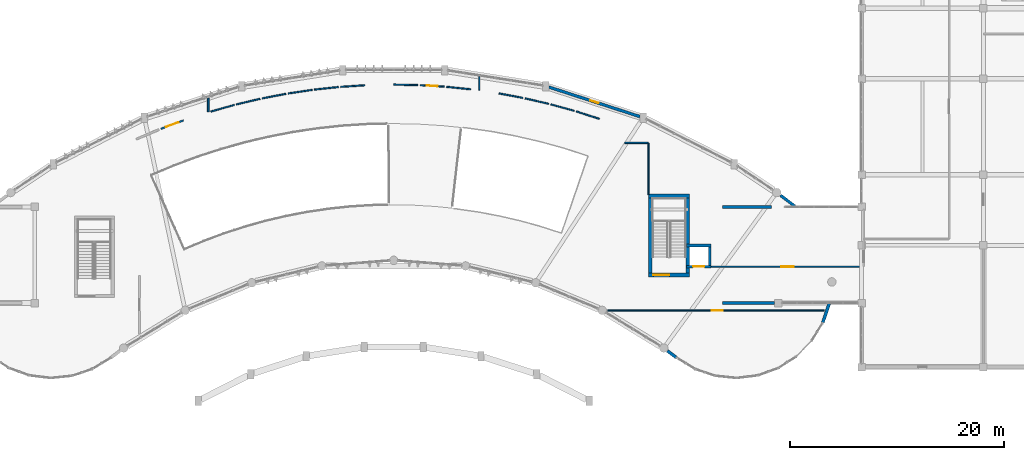
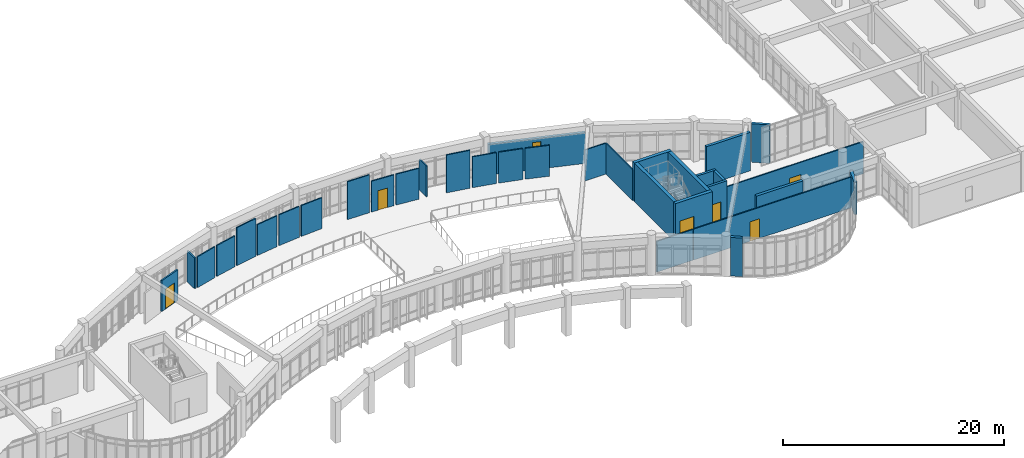
# One storey, part 45 of 57: 34 walls, 6 doors, 1 window, 7 openings.
"""IFC4 building model written with IfcOpenShell, lengths in metres."""

from ifc_helpers import new_model, si_unit, direction, frame, frame_2d, origin, place, context, subcontext, project, spatial, rectangle, extrude, material, layer, layer_set, type_object, element, fill, save


model = new_model("IFC4")

# Units and contexts
model_context = context("Model", 3, precision=1e-05, world=origin(), true_north=direction((0.0, 1.0)))
body_context = subcontext(model_context, "Body", "Model", "MODEL_VIEW")
ifc_project = project(units=[si_unit("LENGTHUNIT", "METRE"), si_unit("AREAUNIT", "SQUARE_METRE"), si_unit("VOLUMEUNIT", "CUBIC_METRE"), si_unit("PLANEANGLEUNIT", "RADIAN"), si_unit("MASSUNIT", "GRAM", prefix="KILO")], contexts=[model_context])

# Site, building, storey
site_placement = place(None, origin())
site = spatial("IfcSite", under=ifc_project, at=site_placement, CompositionType="ELEMENT")
building_placement = place(site_placement, origin())
building = spatial("IfcBuilding", under=site, at=building_placement, Name="Miralva Faculty of Natural Sciences", CompositionType="ELEMENT")
storey_placement = place(building_placement, frame((0.0, 0.0, 15.0)))
storey = spatial("IfcBuildingStorey", under=building, at=storey_placement, Name="L03", CompositionType="ELEMENT", Elevation=15.0)

# Wall, opening, door
ifc_material_1 = material(Name="Concrete C50/60", Category="concrete")
ifc_layer_1 = layer(ifc_material_1, 0.35009765625, Name="WL-CW02")
ifc_layer_set_1 = layer_set([ifc_layer_1], Name="Concrete C50/60")
wall_type_1 = type_object("IfcWallType", Name="WL-CW02", PredefinedType="SHEAR", material=ifc_layer_set_1)
wall_1_placement = place(storey_placement, frame((113.85009765625, 20.625, 0.0), z_axis=(0.0, 0.0, 1.0), x_axis=(1.0, 0.0, 0.0)))
wall_1 = element("IfcWall", 1, at=wall_1_placement, inside=storey, type_object=wall_type_1, Name="Core C3 shear wall south L03", PredefinedType="SHEAR", context=body_context, shape_type="SweptSolid", body=[
    extrude(rectangle(XDim=3.849853515625, YDim=0.35009765625, at=frame_2d((1.9248046875, 0.0))), origin(), (0.0, 0.0, 1.0), 4.280029296875),
])
opening_1_placement = place(wall_1_placement, frame((0.449951171875, 0.0, 0.0)))
opening_1 = element("IfcOpeningElement", 2, at=opening_1_placement, cuts=wall_1, Name="Opening D-11", PredefinedType="OPENING", context=body_context, shape_type="SweptSolid", body=[
    extrude(rectangle(XDim=1.5, YDim=2.199951171875, at=frame_2d((0.75, 1.10009765625))), frame((0.0, 0.18505859375, 0.0), z_axis=(0.0, -1.0, 0.0), x_axis=(1.0, 0.0, 0.0)), (0.0, 0.0, 1.0), 0.3701171875),
])
ifc_material_2 = material(Name="Galvanised steel", Category="steel")
door_type_1 = type_object("IfcDoorType", Name="DR-DI11", OperationType="DOUBLE_DOOR_SINGLE_SWING", PredefinedType="DOOR", material=ifc_material_2)
door_1_placement = place(opening_1_placement, frame((1.5, 0.0, 0.0), z_axis=(0.0, 0.0, 1.0), x_axis=(-1.0, 0.0, 0.0)))
door_1 = element("IfcDoor", 3, at=door_1_placement, inside=storey, type_object=door_type_1, Name="Protected exit stair door Core C3 L03", OperationType="DOUBLE_DOOR_SINGLE_SWING", OverallHeight=2.199951171875, OverallWidth=1.5, PredefinedType="DOOR", context=body_context, shape_type="SweptSolid", body=[
    extrude(rectangle(XDim=1.5, YDim=2.199951171875, at=frame_2d((0.75, 1.10009765625))), frame((0.0, 0.02490234375, 0.0), z_axis=(0.0, -1.0, 0.0), x_axis=(1.0, 0.0, 0.0)), (0.0, 0.0, 1.0), 0.050048828125),
])
fill(opening_1, door_1)

# Walls
wall_2_placement = place(storey_placement, frame((113.85009765625, 28.02490234375, 0.0), z_axis=(0.0, 0.0, 1.0), x_axis=(1.0, 0.0, 0.0)))
element("IfcWall", 4, at=wall_2_placement, inside=storey, type_object=wall_type_1, Name="Core C3 shear wall north L03", PredefinedType="SHEAR", context=body_context, shape_type="SweptSolid", body=[
    extrude(rectangle(XDim=3.849853515625, YDim=0.35009765625, at=frame_2d((1.9248046875, 0.0))), origin(), (0.0, 0.0, 1.0), 4.280029296875),
])
for number, where, z_axis, x_axis, name in (
    (5, (114.02490234375, 20.800048828125, 0.0), (0.0, 0.0, 1.0), (0.0, 1.0, 0.0), "Core C3 shear wall west L03"),
    (6, (117.52490234375, 20.800048828125, 0.0), (0.0, 0.0, 1.0), (0.0, 1.0, 0.0), "Core C3 shear wall east L03"),
):
    element("IfcWall", number, at=place(storey_placement, frame(where, z_axis=z_axis, x_axis=x_axis)), inside=storey, type_object=wall_type_1, Name=name, PredefinedType="SHEAR", context=body_context, shape_type="SweptSolid", body=[
        extrude(rectangle(XDim=7.050048828125, YDim=0.35009765625, at=frame_2d((3.52490234375, 0.0))), origin(), (0.0, 0.0, 1.0), 4.280029296875),
    ])

# Wall, opening, door
ifc_material_3 = material(Name="Concrete C40/50", Category="concrete")
ifc_layer_2 = layer(ifc_material_3, 0.25, Name="WL-CW04")
ifc_layer_set_2 = layer_set([ifc_layer_2], Name="Concrete C40/50")
wall_type_2 = type_object("IfcWallType", Name="WL-CW04", PredefinedType="SHEAR", material=ifc_layer_set_2)
wall_3_placement = place(storey_placement, frame((117.405029296875, 21.405029296875, 0.0), z_axis=(0.0, 0.0, 1.0), x_axis=(1.0, 0.0, 0.0)))
wall_3 = element("IfcWall", 7, at=wall_3_placement, inside=storey, type_object=wall_type_2, Name="Lift L-05 hoistway front wall L03", PredefinedType="SHEAR", context=body_context, shape_type="SweptSolid", body=[
    extrude(rectangle(XDim=2.2900390625, YDim=0.25, at=frame_2d((1.14501953125, 0.0))), origin(), (0.0, 0.0, 1.0), 4.260009765625),
])
opening_2_placement = place(wall_3_placement, frame((0.6201171875, 0.0, 0.0)))
opening_2 = element("IfcOpeningElement", 8, at=opening_2_placement, cuts=wall_3, Name="Opening LD-03", PredefinedType="OPENING", context=body_context, shape_type="SweptSolid", body=[
    extrude(rectangle(XDim=1.050048828125, YDim=2.14990234375, at=frame_2d((0.52490234375, 1.074951171875))), frame((0.0, 0.135009765625, 0.0), z_axis=(0.0, -1.0, 0.0), x_axis=(1.0, 0.0, 0.0)), (0.0, 0.0, 1.0), 0.27001953125),
])
door_type_2 = type_object("IfcDoorType", Name="DR-LD03", OperationType="SLIDING_TO_RIGHT", PredefinedType="DOOR", material=ifc_material_2)
door_2_placement = place(opening_2_placement, frame((1.050048828125, 0.0, 0.0), z_axis=(0.0, 0.0, 1.0), x_axis=(-1.0, 0.0, 0.0)))
door_2 = element("IfcDoor", 9, at=door_2_placement, inside=storey, type_object=door_type_2, Name="Lift L-05 sliding landing door L03", OperationType="SLIDING_TO_RIGHT", OverallHeight=2.14990234375, OverallWidth=1.050048828125, PredefinedType="DOOR", context=body_context, shape_type="SweptSolid", body=[
    extrude(rectangle(XDim=1.050048828125, YDim=2.14990234375, at=frame_2d((0.52490234375, 1.074951171875))), frame((0.0, 0.02490234375, 0.0), z_axis=(0.0, -1.0, 0.0), x_axis=(1.0, 0.0, 0.0)), (0.0, 0.0, 1.0), 0.050048828125),
])
fill(opening_2, door_2)

# Walls
wall_4_placement = place(storey_placement, frame((117.405029296875, 23.39501953125, 0.0), z_axis=(0.0, 0.0, 1.0), x_axis=(1.0, 0.0, 0.0)))
element("IfcWall", 10, at=wall_4_placement, inside=storey, type_object=wall_type_2, Name="Lift L-05 hoistway rear wall L03", PredefinedType="SHEAR", context=body_context, shape_type="SweptSolid", body=[
    extrude(rectangle(XDim=2.2900390625, YDim=0.25, at=frame_2d((1.14501953125, 0.0))), origin(), (0.0, 0.0, 1.0), 4.260009765625),
])
wall_5_placement = place(storey_placement, frame((119.570068359375, 21.530029296875, 0.0), z_axis=(0.0, 0.0, 1.0), x_axis=(0.0, 1.0, 0.0)))
element("IfcWall", 11, at=wall_5_placement, inside=storey, type_object=wall_type_2, Name="Lift L-05 hoistway E wall L03", PredefinedType="SHEAR", context=body_context, shape_type="SweptSolid", body=[
    extrude(rectangle(XDim=1.739990234375, YDim=0.25, at=frame_2d((0.8701171875, 0.0))), origin(), (0.0, 0.0, 1.0), 4.260009765625),
])

# Wall, opening, door
ifc_material_4 = material(Name="Gypsum plasterboard")
ifc_layer_3 = layer(ifc_material_4, 0.159912109375, Name="WL-PT03")
ifc_layer_set_3 = layer_set([ifc_layer_3], Name="Gypsum plasterboard")
wall_type_3 = type_object("IfcWallType", Name="WL-PT03", PredefinedType="PARTITIONING", material=ifc_layer_set_3)
wall_6_placement = place(storey_placement, frame((68.203369140625, 34.30859375, 0.0), z_axis=(0.0, 0.0, 1.0), x_axis=(0.937158790468, 0.348903140497, 0.0)))
wall_6 = element("IfcWall", 12, at=wall_6_placement, inside=storey, type_object=wall_type_3, Name="Interior partition PT-03 L03-342", PredefinedType="PARTITIONING", context=body_context, shape_type="SweptSolid", body=[
    extrude(rectangle(XDim=2.266357421875, YDim=0.159912109375, at=frame_2d((1.13330078125, 0.0))), origin(), (0.0, 0.0, 1.0), 3.405029296875),
])
opening_3_placement = place(wall_6_placement, frame((0.50830078125, 0.0, 0.0)))
opening_3 = element("IfcOpeningElement", 13, at=opening_3_placement, cuts=wall_6, Name="Opening D-23", PredefinedType="OPENING", context=body_context, shape_type="SweptSolid", body=[
    extrude(rectangle(XDim=1.25, YDim=2.199951171875, at=frame_2d((0.625, 1.10009765625))), frame((0.0, 0.08984375, 0.0), z_axis=(0.0, -1.0, 0.0), x_axis=(1.0, 0.0, 0.0)), (0.0, 0.0, 1.0), 0.179931640625),
])
ifc_material_5 = material(Name="Anodised aluminium", Category="aluminium")
door_type_3 = type_object("IfcDoorType", Name="DR-DI23", OperationType="NOTDEFINED", PredefinedType="DOOR", material=ifc_material_5)
door_3_placement = place(opening_3_placement, origin())
door_3 = element("IfcDoor", 14, at=door_3_placement, inside=storey, type_object=door_type_3, Name="Interior door D-23 L03-128", OperationType="SINGLE_SWING_LEFT", OverallHeight=2.199951171875, OverallWidth=1.25, PredefinedType="DOOR", context=body_context, shape_type="SweptSolid", body=[
    extrude(rectangle(XDim=1.25, YDim=2.199951171875, at=frame_2d((0.625, 1.10009765625))), frame((0.0, 0.02490234375, 0.0), z_axis=(0.0, -1.0, 0.0), x_axis=(1.0, 0.0, 0.0)), (0.0, 0.0, 1.0), 0.050048828125),
])
fill(opening_3, door_3)

# Walls
wall_7_placement = place(storey_placement, frame((72.639892578125, 35.88671875, 0.0), z_axis=(0.0, 0.0, 1.0), x_axis=(0.0, 1.0, 0.0)))
element("IfcWall", 15, at=wall_7_placement, inside=storey, type_object=wall_type_3, Name="Interior partition PT-03 L03-362", PredefinedType="PARTITIONING", context=body_context, shape_type="SweptSolid", body=[
    extrude(rectangle(XDim=1.319580078125, YDim=0.159912109375, at=frame_2d((0.65966796875, 0.0))), origin(), (0.0, 0.0, 1.0), 3.405029296875),
])
ifc_layer_4 = layer(ifc_material_4, 0.125, Name="WL-PT05")
ifc_layer_set_4 = layer_set([ifc_layer_4], Name="Gypsum plasterboard")
wall_type_4 = type_object("IfcWallType", Name="WL-PT05", PredefinedType="PARTITIONING", material=ifc_layer_set_4)
for number, where, z_axis, x_axis, name in (
    (16, (72.8857421875, 35.931884765625, 0.0), (0.0, 0.0, 1.0), (0.962961782051, 0.269637917046, 0.0), "Interior partition PT-05 L03-343"),
    (17, (75.273681640625, 36.595947265625, 0.0), (0.0, 0.0, 1.0), (0.973395972519, 0.22912939725, 0.0), "Interior partition PT-05 L03-344"),
):
    element("IfcWall", number, at=place(storey_placement, frame(where, z_axis=z_axis, x_axis=x_axis)), inside=storey, type_object=wall_type_4, Name=name, PredefinedType="PARTITIONING", context=body_context, shape_type="SweptSolid", body=[
        extrude(rectangle(XDim=2.266357421875, YDim=0.125, at=frame_2d((1.13330078125, 0.0))), origin(), (0.0, 0.0, 1.0), 3.405029296875),
    ])
wall_8_placement = place(storey_placement, frame((77.6875, 37.15966796875, 0.0), z_axis=(0.0, 0.0, 1.0), x_axis=(0.982087808033, 0.188423823634, 0.0)))
element("IfcWall", 18, at=wall_8_placement, inside=storey, type_object=wall_type_4, Name="Interior partition PT-05 L03-345", PredefinedType="PARTITIONING", context=body_context, shape_type="SweptSolid", body=[
    extrude(rectangle(XDim=2.26611328125, YDim=0.125, at=frame_2d((1.133056640625, 0.0))), origin(), (0.0, 0.0, 1.0), 4.179931640625),
])
wall_9_placement = place(storey_placement, frame((80.122314453125, 37.622314453125, 0.0), z_axis=(0.0, 0.0, 1.0), x_axis=(0.989080490429, 0.147376332742, 0.0)))
element("IfcWall", 19, at=wall_9_placement, inside=storey, type_object=wall_type_4, Name="Interior partition PT-05 L03-346", PredefinedType="PARTITIONING", context=body_context, shape_type="SweptSolid", body=[
    extrude(rectangle(XDim=2.26611328125, YDim=0.125, at=frame_2d((1.133056640625, 0.0))), origin(), (0.0, 0.0, 1.0), 3.405029296875),
])
wall_10_placement = place(storey_placement, frame((82.57421875, 37.983154296875, 0.0), z_axis=(0.0, 0.0, 1.0), x_axis=(0.994366469197, 0.105996815696, 0.0)))
element("IfcWall", 20, at=wall_10_placement, inside=storey, type_object=wall_type_4, Name="Interior partition PT-05 L03-347", PredefinedType="PARTITIONING", context=body_context, shape_type="SweptSolid", body=[
    extrude(rectangle(XDim=2.266357421875, YDim=0.125, at=frame_2d((1.13330078125, 0.0))), origin(), (0.0, 0.0, 1.0), 3.405029296875),
])
wall_11_placement = place(storey_placement, frame((85.039306640625, 38.2412109375, 0.0), z_axis=(0.0, 0.0, 1.0), x_axis=(0.997915696942, 0.064531091706, 0.0)))
element("IfcWall", 21, at=wall_11_placement, inside=storey, type_object=wall_type_4, Name="Interior partition PT-05 L03-348", PredefinedType="PARTITIONING", context=body_context, shape_type="SweptSolid", body=[
    extrude(rectangle(XDim=2.26611328125, YDim=0.125, at=frame_2d((1.133056640625, 0.0))), origin(), (0.0, 0.0, 1.0), 3.405029296875),
])
wall_12_placement = place(storey_placement, frame((89.99072265625, 38.448486328125, 0.0), z_axis=(0.0, 0.0, 1.0), x_axis=(0.999822278173, -0.018852375679, 0.0)))
element("IfcWall", 22, at=wall_12_placement, inside=storey, type_object=wall_type_4, Name="Interior partition PT-05 L03-349", PredefinedType="PARTITIONING", context=body_context, shape_type="SweptSolid", body=[
    extrude(rectangle(XDim=2.266357421875, YDim=0.125, at=frame_2d((1.13330078125, 0.0))), origin(), (0.0, 0.0, 1.0), 4.179931640625),
])

# Wall, opening, door
wall_13_placement = place(storey_placement, frame((92.46875, 38.3974609375, 0.0), z_axis=(0.0, 0.0, 1.0), x_axis=(0.998159220571, -0.060647921561, 0.0)))
wall_13 = element("IfcWall", 23, at=wall_13_placement, inside=storey, type_object=wall_type_4, Name="Interior partition PT-05 L03-350", PredefinedType="PARTITIONING", context=body_context, shape_type="SweptSolid", body=[
    extrude(rectangle(XDim=2.266357421875, YDim=0.125, at=frame_2d((1.13330078125, 0.0))), origin(), (0.0, 0.0, 1.0), 3.405029296875),
])
opening_4_placement = place(wall_13_placement, frame((0.63330078125, 0.0, 0.0)))
opening_4 = element("IfcOpeningElement", 24, at=opening_4_placement, cuts=wall_13, Name="Opening D-25", PredefinedType="OPENING", context=body_context, shape_type="SweptSolid", body=[
    extrude(rectangle(XDim=1.0, YDim=2.14990234375, at=frame_2d((0.5, 1.074951171875))), frame((0.0, 0.072509765625, 0.0), z_axis=(0.0, -1.0, 0.0), x_axis=(1.0, 0.0, 0.0)), (0.0, 0.0, 1.0), 0.14501953125),
])
door_type_4 = type_object("IfcDoorType", Name="DR-DI25", OperationType="NOTDEFINED", PredefinedType="DOOR", material=ifc_material_5)
door_4_placement = place(opening_4_placement, origin())
door_4 = element("IfcDoor", 25, at=door_4_placement, inside=storey, type_object=door_type_4, Name="Interior door D-25 L03-130", OperationType="SINGLE_SWING_LEFT", OverallHeight=2.14990234375, OverallWidth=1.0, PredefinedType="DOOR", context=body_context, shape_type="SweptSolid", body=[
    extrude(rectangle(XDim=1.0, YDim=2.14990234375, at=frame_2d((0.5, 1.074951171875))), frame((0.0, 0.02490234375, 0.0), z_axis=(0.0, -1.0, 0.0), x_axis=(1.0, 0.0, 0.0)), (0.0, 0.0, 1.0), 0.050048828125),
])
fill(opening_4, door_4)

# Walls
wall_14_placement = place(storey_placement, frame((94.942138671875, 38.242919921875, 0.0), z_axis=(0.0, 0.0, 1.0), x_axis=(0.994772464136, -0.102116328749, 0.0)))
element("IfcWall", 26, at=wall_14_placement, inside=storey, type_object=wall_type_4, Name="Interior partition PT-05 L03-351", PredefinedType="PARTITIONING", context=body_context, shape_type="SweptSolid", body=[
    extrude(rectangle(XDim=2.2666015625, YDim=0.125, at=frame_2d((1.13330078125, 0.0))), origin(), (0.0, 0.0, 1.0), 3.405029296875),
])
wall_15_placement = place(storey_placement, frame((99.859619140625, 37.62548828125, 0.0), z_axis=(0.0, 0.0, 1.0), x_axis=(0.982805045735, -0.184646262018, 0.0)))
element("IfcWall", 27, at=wall_15_placement, inside=storey, type_object=wall_type_4, Name="Interior partition PT-05 L03-352", PredefinedType="PARTITIONING", context=body_context, shape_type="SweptSolid", body=[
    extrude(rectangle(XDim=2.266357421875, YDim=0.125, at=frame_2d((1.13330078125, 0.0))), origin(), (0.0, 0.0, 1.0), 4.179931640625),
])
wall_16_placement = place(storey_placement, frame((102.294921875, 37.163330078125, 0.0), z_axis=(0.0, 0.0, 1.0), x_axis=(0.974269394544, -0.225386660775, 0.0)))
element("IfcWall", 28, at=wall_16_placement, inside=storey, type_object=wall_type_4, Name="Interior partition PT-05 L03-353", PredefinedType="PARTITIONING", context=body_context, shape_type="SweptSolid", body=[
    extrude(rectangle(XDim=2.26611328125, YDim=0.125, at=frame_2d((1.133056640625, 0.0))), origin(), (0.0, 0.0, 1.0), 3.405029296875),
])
for number, where, z_axis, x_axis, name in (
    (29, (104.708251953125, 36.600341796875, 0.0), (0.0, 0.0, 1.0), (0.96403926476, -0.265759846481, 0.0), "Interior partition PT-05 L03-354"),
    (30, (107.0966796875, 35.937255859375, 0.0), (0.0, 0.0, 1.0), (0.952084587877, -0.305834820659, 0.0), "Interior partition PT-05 L03-355"),
):
    element("IfcWall", number, at=place(storey_placement, frame(where, z_axis=z_axis, x_axis=x_axis)), inside=storey, type_object=wall_type_4, Name=name, PredefinedType="PARTITIONING", context=body_context, shape_type="SweptSolid", body=[
        extrude(rectangle(XDim=2.266357421875, YDim=0.125, at=frame_2d((1.13330078125, 0.0))), origin(), (0.0, 0.0, 1.0), 3.405029296875),
    ])
wall_17_placement = place(storey_placement, frame((111.626708984375, 33.0, 0.0), z_axis=(0.0, 0.0, 1.0), x_axis=(1.0, 0.0, 0.0)))
element("IfcWall", 31, at=wall_17_placement, inside=storey, type_object=wall_type_4, Name="Interior partition PT-05 L03-356", PredefinedType="PARTITIONING", context=body_context, shape_type="SweptSolid", body=[
    extrude(rectangle(XDim=2.193359375, YDim=0.125, at=frame_2d((1.0966796875, 0.0))), origin(), (0.0, 0.0, 1.0), 3.405029296875),
])
wall_18_placement = place(storey_placement, frame((113.85009765625, 28.151611328125, 0.0), z_axis=(0.0, 0.0, 1.0), x_axis=(0.0, 1.0, 0.0)))
element("IfcWall", 32, at=wall_18_placement, inside=storey, type_object=wall_type_4, Name="Interior partition PT-05 L03-357", PredefinedType="PARTITIONING", context=body_context, shape_type="SweptSolid", body=[
    extrude(rectangle(XDim=4.818359375, YDim=0.125, at=frame_2d((2.4091796875, 0.0))), origin(), (0.0, 0.0, 1.0), 3.405029296875),
])

# Wall, opening, door
wall_19_placement = place(storey_placement, frame((119.72998046875, 21.39990234375, 0.0), z_axis=(0.0, 0.0, 1.0), x_axis=(1.0, 0.0, 0.0)))
wall_19 = element("IfcWall", 33, at=wall_19_placement, inside=storey, type_object=wall_type_4, Name="Interior partition PT-05 L03-358", PredefinedType="PARTITIONING", context=body_context, shape_type="SweptSolid", body=[
    extrude(rectangle(XDim=14.239990234375, YDim=0.125, at=frame_2d((7.1201171875, 0.0))), origin(), (0.0, 0.0, 1.0), 3.554931640625),
])
opening_5_placement = place(wall_19_placement, frame((6.530029296875, 0.0, 0.0)))
opening_5 = element("IfcOpeningElement", 34, at=opening_5_placement, cuts=wall_19, Name="Opening D-34", PredefinedType="OPENING", context=body_context, shape_type="SweptSolid", body=[
    extrude(rectangle(XDim=1.179931640625, YDim=2.199951171875, at=frame_2d((0.58984375, 1.10009765625))), frame((0.0, 0.072509765625, 0.0), z_axis=(0.0, -1.0, 0.0), x_axis=(1.0, 0.0, 0.0)), (0.0, 0.0, 1.0), 0.14501953125),
])
door_type_5 = type_object("IfcDoorType", Name="DR-DI34", OperationType="NOTDEFINED", PredefinedType="DOOR", material=ifc_material_5)
door_5_placement = place(opening_5_placement, origin())
door_5 = element("IfcDoor", 35, at=door_5_placement, inside=storey, type_object=door_type_5, Name="Interior door D-34 L03-131", OperationType="SINGLE_SWING_RIGHT", OverallHeight=2.199951171875, OverallWidth=1.179931640625, PredefinedType="DOOR", context=body_context, shape_type="SweptSolid", body=[
    extrude(rectangle(XDim=1.179931640625, YDim=2.199951171875, at=frame_2d((0.58984375, 1.10009765625))), frame((0.0, 0.02490234375, 0.0), z_axis=(0.0, -1.0, 0.0), x_axis=(1.0, 0.0, 0.0)), (0.0, 0.0, 1.0), 0.050048828125),
])
fill(opening_5, door_5)

wall_20_placement = place(storey_placement, frame((113.8798828125, 17.300048828125, 0.0), z_axis=(0.0, 0.0, 1.0), x_axis=(1.0, 0.0, 0.0)))
wall_20 = element("IfcWall", 36, at=wall_20_placement, inside=storey, type_object=wall_type_4, Name="Interior partition PT-05 L03-359", PredefinedType="PARTITIONING", context=body_context, shape_type="SweptSolid", body=[
    extrude(rectangle(XDim=16.408203125, YDim=0.125, at=frame_2d((8.2041015625, 0.0))), origin(), (0.0, 0.0, 1.0), 3.405029296875),
])
opening_6_placement = place(wall_20_placement, frame((5.904052734375, 0.0, 0.0)))
opening_6 = element("IfcOpeningElement", 37, at=opening_6_placement, cuts=wall_20, Name="Opening D-25", PredefinedType="OPENING", context=body_context, shape_type="SweptSolid", body=[
    extrude(rectangle(XDim=1.0, YDim=2.14990234375, at=frame_2d((0.5, 1.074951171875))), frame((0.0, 0.072509765625, 0.0), z_axis=(0.0, -1.0, 0.0), x_axis=(1.0, 0.0, 0.0)), (0.0, 0.0, 1.0), 0.14501953125),
])
door_6_placement = place(opening_6_placement, origin())
door_6 = element("IfcDoor", 38, at=door_6_placement, inside=storey, type_object=door_type_4, Name="Interior door D-25 L03-133", OperationType="SINGLE_SWING_RIGHT", OverallHeight=2.14990234375, OverallWidth=1.0, PredefinedType="DOOR", context=body_context, shape_type="SweptSolid", body=[
    extrude(rectangle(XDim=1.0, YDim=2.14990234375, at=frame_2d((0.5, 1.074951171875))), frame((0.0, 0.02490234375, 0.0), z_axis=(0.0, -1.0, 0.0), x_axis=(1.0, 0.0, 0.0)), (0.0, 0.0, 1.0), 0.050048828125),
])
fill(opening_6, door_6)

# Walls
wall_21_placement = place(storey_placement, frame((110.041015625, 17.300048828125, 0.0), z_axis=(0.0, 0.0, 1.0), x_axis=(1.0, 0.0, 0.0)))
element("IfcWall", 39, at=wall_21_placement, inside=storey, type_object=wall_type_4, Name="Interior partition PT-05 L03-360", PredefinedType="PARTITIONING", context=body_context, shape_type="SweptSolid", body=[
    extrude(rectangle(XDim=3.779052734375, YDim=0.125, at=frame_2d((1.8896484375, 0.0))), origin(), (0.0, 0.0, 1.0), 3.405029296875),
])
wall_22_placement = place(storey_placement, frame((98.0, 37.929443359375, 0.0), z_axis=(0.0, 0.0, 1.0), x_axis=(0.0, 1.0, 0.0)))
element("IfcWall", 40, at=wall_22_placement, inside=storey, type_object=wall_type_4, Name="Interior partition PT-05 L03-363", PredefinedType="PARTITIONING", context=body_context, shape_type="SweptSolid", body=[
    extrude(rectangle(XDim=1.28076171875, YDim=0.125, at=frame_2d((0.640380859375, 0.0))), origin(), (0.0, 0.0, 1.0), 3.405029296875),
])
ifc_material_6 = material(Name="Precast concrete C40/50", Category="concrete")
ifc_layer_5 = layer(ifc_material_6, 0.2900390625, Name="WL-WT03")
ifc_layer_set_5 = layer_set([ifc_layer_5], Name="Precast concrete C40/50")
wall_type_5 = type_object("IfcWallType", Name="WL-WT03", PredefinedType="SOLIDWALL", material=ifc_layer_set_5)
wall_23_placement = place(storey_placement, frame((115.6142578125, 13.531982421875, 0.0), z_axis=(0.0, 0.0, 1.0), x_axis=(0.798608971494, -0.601850239387, 0.0)))
element("IfcWall", 41, at=wall_23_placement, inside=storey, type_object=wall_type_5, Name="Exterior wall L03-40", PredefinedType="SOLIDWALL", context=body_context, shape_type="SweptSolid", body=[
    extrude(rectangle(XDim=1.07568359375, YDim=0.2900390625, at=frame_2d((0.537841796875, 0.0))), origin(), (0.0, 0.0, 1.0), 4.25),
])
wall_24_placement = place(storey_placement, frame((130.16162109375, 16.152587890625, 0.0), z_axis=(0.0, 0.0, 1.0), x_axis=(0.320875386213, 0.947121421214, 0.0)))
element("IfcWall", 42, at=wall_24_placement, inside=storey, type_object=wall_type_5, Name="Exterior wall L03-45", PredefinedType="SOLIDWALL", context=body_context, shape_type="SweptSolid", body=[
    extrude(rectangle(XDim=2.015625, YDim=0.2900390625, at=frame_2d((1.0078125, 0.0))), origin(), (0.0, 0.0, 1.0), 3.5048828125),
])
wall_25_placement = place(storey_placement, frame((120.800048828125, 18.0, 0.0), z_axis=(0.0, 0.0, 1.0), x_axis=(1.0, 0.0, 0.0)))
element("IfcWall", 43, at=wall_25_placement, inside=storey, type_object=wall_type_5, Name="Exterior wall L03-364", PredefinedType="SOLIDWALL", context=body_context, shape_type="SweptSolid", body=[
    extrude(rectangle(XDim=4.864990234375, YDim=0.2900390625, at=frame_2d((2.4326171875, 0.0))), origin(), (0.0, 0.0, 1.0), 4.25),
])
wall_26_placement = place(storey_placement, frame((120.800048828125, 27.0, 0.0), z_axis=(0.0, 0.0, 1.0), x_axis=(1.0, 0.0, 0.0)))
element("IfcWall", 44, at=wall_26_placement, inside=storey, type_object=wall_type_5, Name="Exterior wall L03-366", PredefinedType="SOLIDWALL", context=body_context, shape_type="SweptSolid", body=[
    extrude(rectangle(XDim=4.579833984375, YDim=0.2900390625, at=frame_2d((2.2900390625, 0.0))), origin(), (0.0, 0.0, 1.0), 4.25),
])

# Wall, opening, window
ifc_material_7 = material(Name="Volcanic tuff architectural stone", Category="masonry")
ifc_layer_6 = layer(ifc_material_7, 0.27001953125, Name="WL-WT04")
ifc_layer_set_6 = layer_set([ifc_layer_6], Name="Volcanic tuff architectural stone")
wall_type_6 = type_object("IfcWallType", Name="WL-WT04", PredefinedType="SOLIDWALL", material=ifc_layer_set_6)
wall_27_placement = place(storey_placement, frame((104.520751953125, 38.223388671875, 0.0), z_axis=(0.0, 0.0, 1.0), x_axis=(0.951056038367, -0.309018465281, 0.0)))
wall_27 = element("IfcWall", 45, at=wall_27_placement, inside=storey, type_object=wall_type_6, Name="Exterior wall L03-42", PredefinedType="SOLIDWALL", context=body_context, shape_type="SweptSolid", body=[
    extrude(rectangle(XDim=8.982177734375, YDim=0.27001953125, at=frame_2d((4.4912109375, 0.0))), origin(), (0.0, 0.0, 1.0), 3.405029296875),
])
opening_7_placement = place(wall_27_placement, frame((4.091064453125, 0.0, 0.89990234375)))
opening_7 = element("IfcOpeningElement", 46, at=opening_7_placement, cuts=wall_27, Name="Opening W-04", PredefinedType="OPENING", context=body_context, shape_type="SweptSolid", body=[
    extrude(rectangle(XDim=0.800048828125, YDim=2.10009765625, at=frame_2d((0.39990234375, 1.050048828125))), frame((0.0, 0.14501953125, 0.0), z_axis=(0.0, -1.0, 0.0), x_axis=(1.0, 0.0, 0.0)), (0.0, 0.0, 1.0), 0.2900390625),
])
ifc_material_8 = material(Name="Laminated solar-control glass", Category="glass")
window_type = type_object("IfcWindowType", Name="WN-W04", PartitioningType="SINGLE_PANEL", PredefinedType="WINDOW", material=ifc_material_8)
window_placement = place(opening_7_placement, origin())
window = element("IfcWindow", 47, at=window_placement, inside=storey, type_object=window_type, Name="Window W-04 L03-4", OverallHeight=2.10009765625, OverallWidth=0.800048828125, PartitioningType="SINGLE_PANEL", PredefinedType="WINDOW", context=body_context, shape_type="SweptSolid", body=[
    extrude(rectangle(XDim=0.800048828125, YDim=2.10009765625, at=frame_2d((0.39990234375, 1.050048828125))), frame((0.0, 0.030029296875, 0.0), z_axis=(0.0, -1.0, 0.0), x_axis=(1.0, 0.0, 0.0)), (0.0, 0.0, 1.0), 0.06005859375),
])
fill(opening_7, window)

# Wall
wall_28_placement = place(storey_placement, frame((126.210205078125, 28.082275390625, 0.0), z_axis=(0.0, 0.0, 1.0), x_axis=(0.798641279354, -0.601807366947, 0.0)))
element("IfcWall", 48, at=wall_28_placement, inside=storey, type_object=wall_type_6, Name="Exterior wall L03-43", PredefinedType="SOLIDWALL", context=body_context, shape_type="SweptSolid", body=[
    extrude(rectangle(XDim=1.684326171875, YDim=0.27001953125, at=frame_2d((0.84228515625, 0.0))), origin(), (0.0, 0.0, 1.0), 4.25),
])

save(model, "model.ifc")
